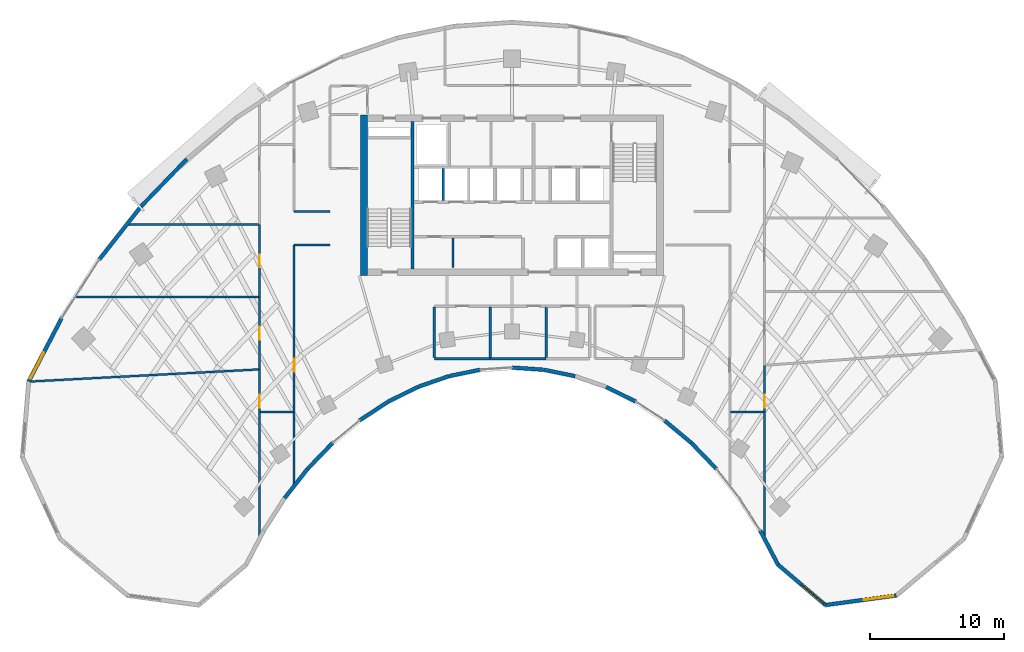
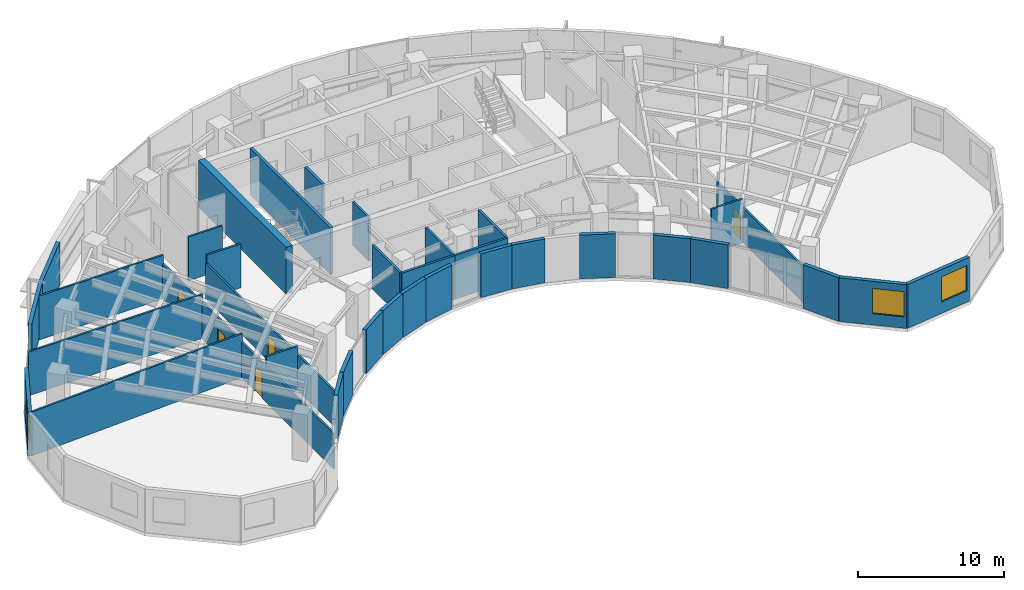
# One storey, part 8 of 14: 38 walls, 5 doors, 3 windows, 8 openings.
"""IFC4 building model written with IfcOpenShell, lengths in metres."""

from ifc_helpers import new_model, si_unit, direction, frame, frame_2d, origin, place, context, subcontext, project, spatial, rectangle, extrude, source, transform, mapped, material, layer, layer_set, type_object, type_shapes, element, fill, save


model = new_model("IFC4")

# Units and contexts
model_context = context("Model", 3, precision=1e-05, world=origin(), true_north=direction((0.0, 1.0)))
body_context = subcontext(model_context, "Body", "Model", "MODEL_VIEW")
ifc_project = project(units=[si_unit("LENGTHUNIT", "METRE"), si_unit("AREAUNIT", "SQUARE_METRE"), si_unit("VOLUMEUNIT", "CUBIC_METRE"), si_unit("PLANEANGLEUNIT", "RADIAN"), si_unit("MASSUNIT", "GRAM", prefix="KILO")], contexts=[model_context])

# Site, building, storey
site_placement = place(None, origin())
site = spatial("IfcSite", under=ifc_project, at=site_placement, CompositionType="ELEMENT")
building_placement = place(site_placement, origin())
building = spatial("IfcBuilding", under=site, at=building_placement, Name="Breltana Convention Tower", CompositionType="ELEMENT")
storey_placement = place(building_placement, frame((0.0, 0.0, 103.800048828125)))
storey = spatial("IfcBuildingStorey", under=building, at=storey_placement, Name="L24", CompositionType="ELEMENT", Elevation=103.800048828125)

# Walls
ifc_material_1 = material(Name="Concrete C60/75", Category="concrete")
ifc_layer_1 = layer(ifc_material_1, 0.5, Name="Concrete C60/75")
ifc_layer_set_1 = layer_set([ifc_layer_1], Name="Concrete C60/75")
wall_type_1 = type_object("IfcWallType", Name="SW-CORE-500", PredefinedType="SHEAR", material=ifc_layer_set_1)
shared_shape_1 = source(origin(), body_context, "Body", "SweptSolid", [
    extrude(rectangle(XDim=12.0, YDim=0.5, at=frame_2d((6.0, 0.0))), origin(), (0.0, 0.0, 1.0), 3.89990234375),
])
wall_1_placement = place(storey_placement, frame((36.949951171875, 60.199951171875, 0.0), z_axis=(0.0, 0.0, 1.0), x_axis=(0.0, 1.0, 0.0)))
element("IfcWall", 1, at=wall_1_placement, inside=storey, type_object=wall_type_1, Name="L24 West Core Shear Wall", PredefinedType="SHEAR", context=body_context, shape_type="MappedRepresentation", body=[
    mapped(shared_shape_1, transform((0.0, 0.0, 0.0), scale=1.0)),
])
ifc_material_2 = material(Name="Concrete C50/60", Category="concrete")
ifc_layer_2 = layer(ifc_material_2, 0.39990234375, Name="Concrete C50/60")
ifc_layer_set_2 = layer_set([ifc_layer_2], Name="Concrete C50/60")
wall_type_2 = type_object("IfcWallType", Name="SW-CORE-400", PredefinedType="SHEAR", material=ifc_layer_set_2)
shared_shape_2 = source(origin(), body_context, "Body", "SweptSolid", [
    extrude(rectangle(XDim=11.0, YDim=0.219970703125, at=frame_2d((5.5, 0.0))), origin(), (0.0, 0.0, 1.0), 3.89990234375),
])
wall_2_placement = place(storey_placement, frame((40.580078125, 60.699951171875, 0.0), z_axis=(0.0, 0.0, 1.0), x_axis=(0.0, 1.0, 0.0)))
element("IfcWall", 2, at=wall_2_placement, inside=storey, type_object=wall_type_2, Name="L24 Core West Stair Spine Wall", PredefinedType="SHEAR", context=body_context, shape_type="MappedRepresentation", body=[
    mapped(shared_shape_2, transform((0.0, 0.0, 0.0), scale=1.0)),
])

# Wall, opening, window
ifc_material_3 = material(Name="Limestone Buff Insulated Wall", Category="masonry")
ifc_layer_3 = layer(ifc_material_3, 0.280029296875, Name="Limestone Buff Insulated Wall")
ifc_layer_set_3 = layer_set([ifc_layer_3], Name="Limestone Buff Insulated Wall")
wall_type_3 = type_object("IfcWallType", Name="WL-EXT-NOSE-280", PredefinedType="SOLIDWALL", material=ifc_layer_set_3)
shared_shape_3 = source(origin(), body_context, "Body", "SweptSolid", [
    extrude(rectangle(XDim=5.32373046875, YDim=0.280029296875, at=frame_2d((2.661865234375, 0.0))), origin(), (0.0, 0.0, 1.0), 3.64990234375),
])
wall_3_placement = place(storey_placement, frame((76.685791015625, 36.321533203125, 0.0), z_axis=(0.0, 0.0, 1.0), x_axis=(-0.990931467223, -0.134368252451, 0.0)))
wall_3 = element("IfcWall", 3, at=wall_3_placement, inside=storey, type_object=wall_type_3, Name="L24 curved limestone nose wall E4", PredefinedType="SOLIDWALL", context=body_context, shape_type="MappedRepresentation", body=[
    mapped(shared_shape_3, transform((0.0, 0.0, 0.0), scale=1.0)),
])
opening_1_placement = place(wall_3_placement, frame((0.23095703125, 0.0, 0.949951171875)))
opening_1 = element("IfcOpeningElement", 4, at=opening_1_placement, cuts=wall_3, Name="Opening W-03", PredefinedType="OPENING", context=body_context, shape_type="SweptSolid", body=[
    extrude(rectangle(XDim=2.199951171875, YDim=2.10009765625, at=frame_2d((1.10009765625, 1.050048828125))), frame((0.0, 0.14990234375, 0.0), z_axis=(0.0, -1.0, 0.0), x_axis=(1.0, 0.0, 0.0)), (0.0, 0.0, 1.0), 0.300048828125),
])
ifc_material_4 = material(Name="Glass Low-E Insulated Window", Category="glass")
window_type = type_object("IfcWindowType", Name="WN-NOSE-2200X2100", PartitioningType="TRIPLE_PANEL_VERTICAL", PredefinedType="WINDOW", material=ifc_material_4)
shared_shape_4 = source(origin(), body_context, "Body", "SweptSolid", [
    extrude(rectangle(XDim=2.199951171875, YDim=2.10009765625, at=frame_2d((1.10009765625, 1.050048828125))), frame((0.0, 0.030029296875, 0.0), z_axis=(0.0, -1.0, 0.0), x_axis=(1.0, 0.0, 0.0)), (0.0, 0.0, 1.0), 0.06005859375),
])
type_shapes(window_type, [shared_shape_4])
window_1_placement = place(opening_1_placement, origin())
window_1 = element("IfcWindow", 5, at=window_1_placement, inside=storey, type_object=window_type, Name="L24 nose window E4", OverallHeight=2.10009765625, OverallWidth=2.199951171875, PartitioningType="TRIPLE_PANEL_VERTICAL", PredefinedType="WINDOW", context=body_context, shape_type="MappedRepresentation", body=[
    mapped(shared_shape_4, transform((0.0, 0.0, 0.0), scale=1.0)),
])
fill(opening_1, window_1)

shared_shape_5 = source(origin(), body_context, "Body", "SweptSolid", [
    extrude(rectangle(XDim=4.6591796875, YDim=0.280029296875, at=frame_2d((2.32958984375, 0.0))), origin(), (0.0, 0.0, 1.0), 3.64990234375),
])
wall_4_placement = place(storey_placement, frame((71.410400390625, 35.606201171875, 0.0), z_axis=(0.0, 0.0, 1.0), x_axis=(-0.761913458795, 0.647678841176, 0.0)))
wall_4 = element("IfcWall", 6, at=wall_4_placement, inside=storey, type_object=wall_type_3, Name="L24 curved limestone nose wall E5", PredefinedType="SOLIDWALL", context=body_context, shape_type="MappedRepresentation", body=[
    mapped(shared_shape_5, transform((0.0, 0.0, 0.0), scale=1.0)),
])
opening_2_placement = place(wall_4_placement, frame((0.159912109375, 0.0, 0.949951171875)))
opening_2 = element("IfcOpeningElement", 7, at=opening_2_placement, cuts=wall_4, Name="Opening W-03", PredefinedType="OPENING", context=body_context, shape_type="SweptSolid", body=[
    extrude(rectangle(XDim=2.199951171875, YDim=2.10009765625, at=frame_2d((1.10009765625, 1.050048828125))), frame((0.0, 0.14990234375, 0.0), z_axis=(0.0, -1.0, 0.0), x_axis=(1.0, 0.0, 0.0)), (0.0, 0.0, 1.0), 0.300048828125),
])
window_2_placement = place(opening_2_placement, origin())
window_2 = element("IfcWindow", 8, at=window_2_placement, inside=storey, type_object=window_type, Name="L24 nose window E5", OverallHeight=2.10009765625, OverallWidth=2.199951171875, PartitioningType="TRIPLE_PANEL_VERTICAL", PredefinedType="WINDOW", context=body_context, shape_type="MappedRepresentation", body=[
    mapped(shared_shape_4, transform((0.0, 0.0, 0.0), scale=1.0)),
])
fill(opening_2, window_2)

# Walls
shared_shape_6 = source(origin(), body_context, "Body", "SweptSolid", [
    extrude(rectangle(XDim=2.8798828125, YDim=0.280029296875, at=frame_2d((1.43994140625, 0.0))), origin(), (0.0, 0.0, 1.0), 3.64990234375),
])
wall_5_placement = place(storey_placement, frame((67.860595703125, 38.623779296875, 0.0), z_axis=(0.0, 0.0, 1.0), x_axis=(-0.461769086658, 0.887000175088, 0.0)))
element("IfcWall", 9, at=wall_5_placement, inside=storey, type_object=wall_type_3, Name="L24 curved limestone nose wall E6", PredefinedType="SOLIDWALL", context=body_context, shape_type="MappedRepresentation", body=[
    mapped(shared_shape_6, transform((0.0, 0.0, 0.0), scale=1.0)),
])
shared_shape_7 = source(origin(), body_context, "Body", "SweptSolid", [
    extrude(rectangle(XDim=2.679931640625, YDim=0.280029296875, at=frame_2d((1.33984375, 0.0))), origin(), (0.0, 0.0, 1.0), 3.64990234375),
])
for number, where, z_axis, x_axis, name in (
    (10, (63.260009765625, 45.780029296875, 0.0), (0.0, 0.0, 1.0), (-0.694561996568, 0.719432855049, 0.0), "L24 curved limestone nose wall E7"),
    (11, (34.601318359375, 47.7080078125, 0.0), (0.0, 0.0, 1.0), (-0.694561996568, -0.719432855049, 0.0), "L24 curved limestone nose wall E17"),
):
    element("IfcWall", number, at=place(storey_placement, frame(where, z_axis=z_axis, x_axis=x_axis)), inside=storey, type_object=wall_type_3, Name=name, PredefinedType="SOLIDWALL", context=body_context, shape_type="MappedRepresentation", body=[
        mapped(shared_shape_7, transform((0.0, 0.0, 0.0), scale=1.0)),
    ])
shared_shape_8 = source(origin(), body_context, "Body", "SweptSolid", [
    extrude(rectangle(XDim=2.600830078125, YDim=0.280029296875, at=frame_2d((1.30029296875, 0.0))), origin(), (0.0, 0.0, 1.0), 3.64990234375),
])
wall_6_placement = place(storey_placement, frame((61.384521484375, 47.72119140625, 0.0), z_axis=(0.0, 0.0, 1.0), x_axis=(-0.76796730295, 0.640489048775, 0.0)))
element("IfcWall", 12, at=wall_6_placement, inside=storey, type_object=wall_type_3, Name="L24 curved limestone nose wall E8", PredefinedType="SOLIDWALL", context=body_context, shape_type="MappedRepresentation", body=[
    mapped(shared_shape_8, transform((0.0, 0.0, 0.0), scale=1.0)),
])
shared_shape_9 = source(origin(), body_context, "Body", "SweptSolid", [
    extrude(rectangle(XDim=2.46240234375, YDim=0.280029296875, at=frame_2d((1.231201171875, 0.0))), origin(), (0.0, 0.0, 1.0), 3.64990234375),
])
for number, where, z_axis, x_axis, name in (
    (13, (57.239013671875, 50.797119140625, 0.0), (0.0, 0.0, 1.0), (-0.8959882207, 0.444077817917, 0.0), "L24 curved limestone nose wall E9"),
    (14, (40.96728515625, 51.890625, 0.0), (0.0, 0.0, 1.0), (-0.8959882207, -0.444077817917, 0.0), "L24 curved limestone nose wall E15"),
):
    element("IfcWall", number, at=place(storey_placement, frame(where, z_axis=z_axis, x_axis=x_axis)), inside=storey, type_object=wall_type_3, Name=name, PredefinedType="SOLIDWALL", context=body_context, shape_type="MappedRepresentation", body=[
        mapped(shared_shape_9, transform((0.0, 0.0, 0.0), scale=1.0)),
    ])
shared_shape_10 = source(origin(), body_context, "Body", "SweptSolid", [
    extrude(rectangle(XDim=2.41064453125, YDim=0.280029296875, at=frame_2d((1.205322265625, 0.0))), origin(), (0.0, 0.0, 1.0), 3.64990234375),
])
wall_7_placement = place(storey_placement, frame((43.26611328125, 52.688720703125, 0.0), z_axis=(0.0, 0.0, 1.0), x_axis=(-0.944880068161, -0.327416640982, 0.0)))
element("IfcWall", 15, at=wall_7_placement, inside=storey, type_object=wall_type_3, Name="L24 curved limestone nose wall E14", PredefinedType="SOLIDWALL", context=body_context, shape_type="MappedRepresentation", body=[
    mapped(shared_shape_10, transform((0.0, 0.0, 0.0), scale=1.0)),
])
shared_shape_11 = source(origin(), body_context, "Body", "SweptSolid", [
    extrude(rectangle(XDim=2.373779296875, YDim=0.280029296875, at=frame_2d((1.18701171875, 0.0))), origin(), (0.0, 0.0, 1.0), 3.64990234375),
])
for number, where, z_axis, x_axis, name in (
    (16, (52.711181640625, 52.695068359375, 0.0), (0.0, 0.0, 1.0), (-0.979619827472, 0.200860632341, 0.0), "L24 curved limestone nose wall E11"),
    (17, (45.6142578125, 53.171875, 0.0), (0.0, 0.0, 1.0), (-0.979619827472, -0.200860632341, 0.0), "L24 curved limestone nose wall E13"),
):
    element("IfcWall", number, at=place(storey_placement, frame(where, z_axis=z_axis, x_axis=x_axis)), inside=storey, type_object=wall_type_3, Name=name, PredefinedType="SOLIDWALL", context=body_context, shape_type="MappedRepresentation", body=[
        mapped(shared_shape_11, transform((0.0, 0.0, 0.0), scale=1.0)),
    ])
shared_shape_12 = source(origin(), body_context, "Body", "SweptSolid", [
    extrude(rectangle(XDim=2.35498046875, YDim=0.280029296875, at=frame_2d((1.177490234375, 0.0))), origin(), (0.0, 0.0, 1.0), 3.64990234375),
])
wall_8_placement = place(storey_placement, frame((50.36181640625, 53.175048828125, 0.0), z_axis=(0.0, 0.0, 1.0), x_axis=(-0.997699017577, 0.067798748701, 0.0)))
element("IfcWall", 18, at=wall_8_placement, inside=storey, type_object=wall_type_3, Name="L24 curved limestone nose wall E12", PredefinedType="SOLIDWALL", context=body_context, shape_type="MappedRepresentation", body=[
    mapped(shared_shape_12, transform((0.0, 0.0, 0.0), scale=1.0)),
])
shared_shape_13 = source(origin(), body_context, "Body", "SweptSolid", [
    extrude(rectangle(XDim=2.52734375, YDim=0.280029296875, at=frame_2d((1.263671875, 0.0))), origin(), (0.0, 0.0, 1.0), 3.64990234375),
])
wall_9_placement = place(storey_placement, frame((38.7421875, 50.7861328125, 0.0), z_axis=(0.0, 0.0, 1.0), x_axis=(-0.836011905051, -0.548711303523, 0.0)))
element("IfcWall", 19, at=wall_9_placement, inside=storey, type_object=wall_type_3, Name="L24 curved limestone nose wall E16", PredefinedType="SOLIDWALL", context=body_context, shape_type="MappedRepresentation", body=[
    mapped(shared_shape_13, transform((0.0, 0.0, 0.0), scale=1.0)),
])
shared_shape_14 = source(origin(), body_context, "Body", "SweptSolid", [
    extrude(rectangle(XDim=2.760498046875, YDim=0.280029296875, at=frame_2d((1.38037109375, 0.0))), origin(), (0.0, 0.0, 1.0), 3.64990234375),
])
wall_10_placement = place(storey_placement, frame((32.72802734375, 45.766357421875, 0.0), z_axis=(0.0, 0.0, 1.0), x_axis=(-0.618180818641, -0.786035925047, 0.0)))
element("IfcWall", 20, at=wall_10_placement, inside=storey, type_object=wall_type_3, Name="L24 curved limestone nose wall E18", PredefinedType="SOLIDWALL", context=body_context, shape_type="MappedRepresentation", body=[
    mapped(shared_shape_14, transform((0.0, 0.0, 0.0), scale=1.0)),
])

# Wall, opening, window
shared_shape_15 = source(origin(), body_context, "Body", "SweptSolid", [
    extrude(rectangle(XDim=5.315185546875, YDim=0.280029296875, at=frame_2d((2.65771484375, 0.0))), origin(), (0.0, 0.0, 1.0), 3.64990234375),
])
wall_11_placement = place(storey_placement, frame((11.92236328125, 52.305419921875, 0.0), z_axis=(0.0, 0.0, 1.0), x_axis=(0.461760527822, 0.887004630735, 0.0)))
wall_11 = element("IfcWall", 21, at=wall_11_placement, inside=storey, type_object=wall_type_3, Name="L24 curved limestone nose wall W7", PredefinedType="SOLIDWALL", context=body_context, shape_type="MappedRepresentation", body=[
    mapped(shared_shape_15, transform((0.0, 0.0, 0.0), scale=1.0)),
])
opening_3_placement = place(wall_11_placement, frame((0.228759765625, 0.0, 0.949951171875)))
opening_3 = element("IfcOpeningElement", 22, at=opening_3_placement, cuts=wall_11, Name="Opening W-03", PredefinedType="OPENING", context=body_context, shape_type="SweptSolid", body=[
    extrude(rectangle(XDim=2.199951171875, YDim=2.10009765625, at=frame_2d((1.10009765625, 1.050048828125))), frame((0.0, 0.14990234375, 0.0), z_axis=(0.0, -1.0, 0.0), x_axis=(1.0, 0.0, 0.0)), (0.0, 0.0, 1.0), 0.300048828125),
])
window_3_placement = place(opening_3_placement, origin())
window_3 = element("IfcWindow", 23, at=window_3_placement, inside=storey, type_object=window_type, Name="L24 nose window W7", OverallHeight=2.10009765625, OverallWidth=2.199951171875, PartitioningType="TRIPLE_PANEL_VERTICAL", PredefinedType="WINDOW", context=body_context, shape_type="MappedRepresentation", body=[
    mapped(shared_shape_4, transform((0.0, 0.0, 0.0), scale=1.0)),
])
fill(opening_3, window_3)

# Walls
shared_shape_16 = source(origin(), body_context, "Body", "SweptSolid", [
    extrude(rectangle(XDim=5.05810546875, YDim=0.280029296875, at=frame_2d((2.529052734375, 0.0))), origin(), (0.0, 0.0, 1.0), 3.64990234375),
])
wall_12_placement = place(storey_placement, frame((17.1884765625, 61.400390625, 0.0), z_axis=(0.0, 0.0, 1.0), x_axis=(0.618145507434, 0.786063694391, 0.0)))
element("IfcWall", 24, at=wall_12_placement, inside=storey, type_object=wall_type_3, Name="L24 curved limestone nose wall E20", PredefinedType="SOLIDWALL", context=body_context, shape_type="MappedRepresentation", body=[
    mapped(shared_shape_16, transform((0.0, 0.0, 0.0), scale=1.0)),
])
shared_shape_17 = source(origin(), body_context, "Body", "SweptSolid", [
    extrude(rectangle(XDim=4.908447265625, YDim=0.280029296875, at=frame_2d((2.4541015625, 0.0))), origin(), (0.0, 0.0, 1.0), 3.64990234375),
])
wall_13_placement = place(storey_placement, frame((20.315185546875, 65.37646484375, 0.0), z_axis=(0.0, 0.0, 1.0), x_axis=(0.694613154328, 0.719383462302, 0.0)))
element("IfcWall", 25, at=wall_13_placement, inside=storey, type_object=wall_type_3, Name="L24 curved limestone nose wall E21", PredefinedType="SOLIDWALL", context=body_context, shape_type="MappedRepresentation", body=[
    mapped(shared_shape_17, transform((0.0, 0.0, 0.0), scale=1.0)),
])
ifc_material_5 = material(Name="Autoclaved Aerated Concrete Block", Category="concrete")
ifc_layer_4 = layer(ifc_material_5, 0.199951171875, Name="Autoclaved Aerated Concrete Block")
ifc_layer_set_4 = layer_set([ifc_layer_4], Name="Autoclaved Aerated Concrete Block")
wall_type_4 = type_object("IfcWallType", Name="WL-SHAFT-200", PredefinedType="SOLIDWALL", material=ifc_layer_set_4)
shared_shape_18 = source(origin(), body_context, "Body", "SweptSolid", [
    extrude(rectangle(XDim=2.39990234375, YDim=0.199951171875, at=frame_2d((1.199951171875, 0.0))), origin(), (0.0, 0.0, 1.0), 3.64990234375),
])
wall_14_placement = place(storey_placement, frame((42.8701171875, 65.800048828125, 0.0), z_axis=(0.0, 0.0, 1.0), x_axis=(0.0, 1.0, 0.0)))
element("IfcWall", 26, at=wall_14_placement, inside=storey, type_object=wall_type_4, Name="L24 interior partition W-L24-SH-M-DIV1", PredefinedType="SOLIDWALL", context=body_context, shape_type="MappedRepresentation", body=[
    mapped(shared_shape_18, transform((0.0, 0.0, 0.0), scale=1.0)),
])
ifc_material_6 = material(Name="Cement Board Wet-Area Partition")
ifc_layer_5 = layer(ifc_material_6, 0.175048828125, Name="Cement Board Wet-Area Partition")
ifc_layer_set_5 = layer_set([ifc_layer_5], Name="Cement Board Wet-Area Partition")
wall_type_5 = type_object("IfcWallType", Name="WL-WET-175", PredefinedType="PARTITIONING", material=ifc_layer_set_5)
shared_shape_19 = source(origin(), body_context, "Body", "SweptSolid", [
    extrude(rectangle(XDim=4.176025390625, YDim=0.175048828125, at=frame_2d((2.087890625, 0.0))), origin(), (0.0, 0.0, 1.0), 3.64990234375),
])
for number, where, z_axis, x_axis, name in (
    (27, (42.199951171875, 54.0, 0.0), (0.0, 0.0, 1.0), (1.0, 0.0, 0.0), "L24 interior partition W-L24-WCM-S"),
    (28, (46.3759765625, 54.0, 0.0), (0.0, 0.0, 1.0), (1.0, 0.0, 0.0), "L24 interior partition W-L24-WCF-S"),
):
    element("IfcWall", number, at=place(storey_placement, frame(where, z_axis=z_axis, x_axis=x_axis)), inside=storey, type_object=wall_type_5, Name=name, PredefinedType="PARTITIONING", context=body_context, shape_type="MappedRepresentation", body=[
        mapped(shared_shape_19, transform((0.0, 0.0, 0.0), scale=1.0)),
    ])
shared_shape_20 = source(origin(), body_context, "Body", "SweptSolid", [
    extrude(rectangle(XDim=3.7626953125, YDim=0.175048828125, at=frame_2d((1.88134765625, 0.0))), origin(), (0.0, 0.0, 1.0), 3.64990234375),
])
for number, where, z_axis, x_axis, name in (
    (29, (42.199951171875, 54.07861328125, 0.0), (0.0, 0.0, 1.0), (0.0, 1.0, 0.0), "L24 interior partition W-L24-WCM-W"),
    (30, (46.3759765625, 54.07861328125, 0.0), (0.0, 0.0, 1.0), (0.0, 1.0, 0.0), "L24 interior partition W-L24-WCM-E"),
    (31, (50.552001953125, 54.07861328125, 0.0), (0.0, 0.0, 1.0), (0.0, 1.0, 0.0), "L24 interior partition W-L24-WCF-E"),
):
    element("IfcWall", number, at=place(storey_placement, frame(where, z_axis=z_axis, x_axis=x_axis)), inside=storey, type_object=wall_type_5, Name=name, PredefinedType="PARTITIONING", context=body_context, shape_type="MappedRepresentation", body=[
        mapped(shared_shape_20, transform((0.0, 0.0, 0.0), scale=1.0)),
    ])
ifc_material_7 = material(Name="Gypsum Acoustic Drywall Partition")
ifc_layer_6 = layer(ifc_material_7, 0.14990234375, Name="Gypsum Acoustic Drywall Partition")
ifc_layer_set_6 = layer_set([ifc_layer_6], Name="Gypsum Acoustic Drywall Partition")
wall_type_6 = type_object("IfcWallType", Name="WL-PART-150", PredefinedType="PARTITIONING", material=ifc_layer_set_6)
shared_shape_21 = source(origin(), body_context, "Body", "SweptSolid", [
    extrude(rectangle(XDim=2.5, YDim=0.14990234375, at=frame_2d((1.25, 0.0))), origin(), (0.0, 0.0, 1.0), 3.64990234375),
])
for number, where, z_axis, x_axis, name in (
    (32, (29.199951171875, 50.0, 0.0), (0.0, 0.0, 1.0), (1.0, 0.0, 0.0), "L24 interior partition W-L24-CORNW-S"),
    (33, (64.300048828125, 50.0, 0.0), (0.0, 0.0, 1.0), (1.0, 0.0, 0.0), "L24 interior partition W-L24-CORNE-S"),
):
    element("IfcWall", number, at=place(storey_placement, frame(where, z_axis=z_axis, x_axis=x_axis)), inside=storey, type_object=wall_type_6, Name=name, PredefinedType="PARTITIONING", context=body_context, shape_type="MappedRepresentation", body=[
        mapped(shared_shape_21, transform((0.0, 0.0, 0.0), scale=1.0)),
    ])

# Wall, opening, door
shared_shape_22 = source(origin(), body_context, "Body", "SweptSolid", [
    extrude(rectangle(XDim=12.593994140625, YDim=0.14990234375, at=frame_2d((6.296875, 0.0))), origin(), (0.0, 0.0, 1.0), 2.94189453125),
])
wall_15_placement = place(storey_placement, frame((29.159912109375, 40.60595703125, 0.0), z_axis=(0.0, 0.0, 1.0), x_axis=(0.0, 1.0, 0.0)))
wall_15 = element("IfcWall", 34, at=wall_15_placement, inside=storey, type_object=wall_type_6, Name="L24 interior partition W-L24-ZW1-E", PredefinedType="PARTITIONING", context=body_context, shape_type="MappedRepresentation", body=[
    mapped(shared_shape_22, transform((0.0, 0.0, 0.0), scale=1.0)),
])
opening_4_placement = place(wall_15_placement, frame((9.744140625, 0.0, 0.0)))
opening_4 = element("IfcOpeningElement", 35, at=opening_4_placement, cuts=wall_15, Name="Opening D-17", PredefinedType="OPENING", context=body_context, shape_type="SweptSolid", body=[
    extrude(rectangle(XDim=0.949951171875, YDim=2.10009765625, at=frame_2d((0.47509765625, 1.050048828125))), frame((0.0, 0.0849609375, 0.0), z_axis=(0.0, -1.0, 0.0), x_axis=(1.0, 0.0, 0.0)), (0.0, 0.0, 1.0), 0.169921875),
])
ifc_material_8 = material(Name="Timber Oak Veneer Door", Category="wood")
door_type = type_object("IfcDoorType", Name="DR-INT-950", OperationType="NOTDEFINED", PredefinedType="DOOR", material=ifc_material_8)
shared_shape_23 = source(origin(), body_context, "Body", "SweptSolid", [
    extrude(rectangle(XDim=0.949951171875, YDim=2.10009765625, at=frame_2d((0.47509765625, 1.050048828125))), frame((0.0, 0.02490234375, 0.0), z_axis=(0.0, -1.0, 0.0), x_axis=(1.0, 0.0, 0.0)), (0.0, 0.0, 1.0), 0.050048828125),
])
type_shapes(door_type, [shared_shape_23])
door_1_placement = place(opening_4_placement, origin())
door_1 = element("IfcDoor", 36, at=door_1_placement, inside=storey, type_object=door_type, Name="L24 interior door D-L24-ZW1", OperationType="SINGLE_SWING_RIGHT", OverallHeight=2.10009765625, OverallWidth=0.949951171875, PredefinedType="DOOR", context=body_context, shape_type="MappedRepresentation", body=[
    mapped(shared_shape_23, transform((0.0, 0.0, 0.0), scale=1.0)),
])
fill(opening_4, door_1)

# Wall
shared_shape_24 = source(origin(), body_context, "Body", "SweptSolid", [
    extrude(rectangle(XDim=17.132080078125, YDim=0.14990234375, at=frame_2d((8.56591796875, 0.0))), origin(), (0.0, 0.0, 1.0), 3.64990234375),
])
wall_16_placement = place(storey_placement, frame((12.0517578125, 52.294189453125, 0.0), z_axis=(0.0, 0.0, 1.0), x_axis=(0.998601444231, 0.05286923094, 0.0)))
element("IfcWall", 37, at=wall_16_placement, inside=storey, type_object=wall_type_6, Name="L24 interior partition W-L24-ZW1-N", PredefinedType="PARTITIONING", context=body_context, shape_type="MappedRepresentation", body=[
    mapped(shared_shape_24, transform((0.0, 0.0, 0.0), scale=1.0)),
])

# Wall, opening, door
shared_shape_25 = source(origin(), body_context, "Body", "SweptSolid", [
    extrude(rectangle(XDim=5.400146484375, YDim=0.14990234375, at=frame_2d((2.7001953125, 0.0))), origin(), (0.0, 0.0, 1.0), 3.02197265625),
])
wall_17_placement = place(storey_placement, frame((29.159912109375, 53.199951171875, 0.0), z_axis=(0.0, 0.0, 1.0), x_axis=(0.0, 1.0, 0.0)))
wall_17 = element("IfcWall", 38, at=wall_17_placement, inside=storey, type_object=wall_type_6, Name="L24 interior partition W-L24-ZW2-E", PredefinedType="PARTITIONING", context=body_context, shape_type="MappedRepresentation", body=[
    mapped(shared_shape_25, transform((0.0, 0.0, 0.0), scale=1.0)),
])
opening_5_placement = place(wall_17_placement, frame((2.22509765625, 0.0, 0.0)))
opening_5 = element("IfcOpeningElement", 39, at=opening_5_placement, cuts=wall_17, Name="Opening D-17", PredefinedType="OPENING", context=body_context, shape_type="SweptSolid", body=[
    extrude(rectangle(XDim=0.949951171875, YDim=2.10009765625, at=frame_2d((0.47509765625, 1.050048828125))), frame((0.0, 0.0849609375, 0.0), z_axis=(0.0, -1.0, 0.0), x_axis=(1.0, 0.0, 0.0)), (0.0, 0.0, 1.0), 0.169921875),
])
door_2_placement = place(opening_5_placement, origin())
door_2 = element("IfcDoor", 40, at=door_2_placement, inside=storey, type_object=door_type, Name="L24 interior door D-L24-ZW2", OperationType="SINGLE_SWING_LEFT", OverallHeight=2.10009765625, OverallWidth=0.949951171875, PredefinedType="DOOR", context=body_context, shape_type="MappedRepresentation", body=[
    mapped(shared_shape_23, transform((0.0, 0.0, 0.0), scale=1.0)),
])
fill(opening_5, door_2)

# Wall
shared_shape_26 = source(origin(), body_context, "Body", "SweptSolid", [
    extrude(rectangle(XDim=13.757080078125, YDim=0.14990234375, at=frame_2d((6.87841796875, 0.0))), origin(), (0.0, 0.0, 1.0), 3.64990234375),
])
wall_18_placement = place(storey_placement, frame((15.40283203125, 58.60009765625, 0.0), z_axis=(0.0, 0.0, 1.0), x_axis=(1.0, 0.0, 0.0)))
element("IfcWall", 41, at=wall_18_placement, inside=storey, type_object=wall_type_6, Name="L24 interior partition W-L24-ZW2-N", PredefinedType="PARTITIONING", context=body_context, shape_type="MappedRepresentation", body=[
    mapped(shared_shape_26, transform((0.0, 0.0, 0.0), scale=1.0)),
])

# Wall, opening, door
shared_shape_27 = source(origin(), body_context, "Body", "SweptSolid", [
    extrude(rectangle(XDim=5.39990234375, YDim=0.14990234375, at=frame_2d((2.699951171875, 0.0))), origin(), (0.0, 0.0, 1.0), 2.94189453125),
])
wall_19_placement = place(storey_placement, frame((29.159912109375, 58.60009765625, 0.0), z_axis=(0.0, 0.0, 1.0), x_axis=(0.0, 1.0, 0.0)))
wall_19 = element("IfcWall", 42, at=wall_19_placement, inside=storey, type_object=wall_type_6, Name="L24 interior partition W-L24-ZW3-E", PredefinedType="PARTITIONING", context=body_context, shape_type="MappedRepresentation", body=[
    mapped(shared_shape_27, transform((0.0, 0.0, 0.0), scale=1.0)),
])
opening_6_placement = place(wall_19_placement, frame((2.22509765625, 0.0, 0.0)))
opening_6 = element("IfcOpeningElement", 43, at=opening_6_placement, cuts=wall_19, Name="Opening D-17", PredefinedType="OPENING", context=body_context, shape_type="SweptSolid", body=[
    extrude(rectangle(XDim=0.949951171875, YDim=2.10009765625, at=frame_2d((0.47509765625, 1.050048828125))), frame((0.0, 0.0849609375, 0.0), z_axis=(0.0, -1.0, 0.0), x_axis=(1.0, 0.0, 0.0)), (0.0, 0.0, 1.0), 0.169921875),
])
door_3_placement = place(opening_6_placement, origin())
door_3 = element("IfcDoor", 44, at=door_3_placement, inside=storey, type_object=door_type, Name="L24 interior door D-L24-ZW3", OperationType="SINGLE_SWING_RIGHT", OverallHeight=2.10009765625, OverallWidth=0.949951171875, PredefinedType="DOOR", context=body_context, shape_type="MappedRepresentation", body=[
    mapped(shared_shape_23, transform((0.0, 0.0, 0.0), scale=1.0)),
])
fill(opening_6, door_3)

# Wall
shared_shape_28 = source(origin(), body_context, "Body", "SweptSolid", [
    extrude(rectangle(XDim=9.914306640625, YDim=0.14990234375, at=frame_2d((4.95703125, 0.0))), origin(), (0.0, 0.0, 1.0), 3.64990234375),
])
wall_20_placement = place(storey_placement, frame((19.24560546875, 64.0, 0.0), z_axis=(0.0, 0.0, 1.0), x_axis=(1.0, 0.0, 0.0)))
element("IfcWall", 45, at=wall_20_placement, inside=storey, type_object=wall_type_6, Name="L24 interior partition W-L24-ZW3-N", PredefinedType="PARTITIONING", context=body_context, shape_type="MappedRepresentation", body=[
    mapped(shared_shape_28, transform((0.0, 0.0, 0.0), scale=1.0)),
])

# Wall, opening, door
shared_shape_29 = source(origin(), body_context, "Body", "SweptSolid", [
    extrude(rectangle(XDim=12.89404296875, YDim=0.14990234375, at=frame_2d((6.447021484375, 0.0))), origin(), (0.0, 0.0, 1.0), 2.94189453125),
])
wall_21_placement = place(storey_placement, frame((66.840087890625, 40.60595703125, 0.0), z_axis=(0.0, 0.0, 1.0), x_axis=(0.0, 1.0, 0.0)))
wall_21 = element("IfcWall", 46, at=wall_21_placement, inside=storey, type_object=wall_type_6, Name="L24 interior partition W-L24-ZE1-W", PredefinedType="PARTITIONING", context=body_context, shape_type="MappedRepresentation", body=[
    mapped(shared_shape_29, transform((0.0, 0.0, 0.0), scale=1.0)),
])
opening_7_placement = place(wall_21_placement, frame((9.744140625, 0.0, 0.0)))
opening_7 = element("IfcOpeningElement", 47, at=opening_7_placement, cuts=wall_21, Name="Opening D-17", PredefinedType="OPENING", context=body_context, shape_type="SweptSolid", body=[
    extrude(rectangle(XDim=0.949951171875, YDim=2.10009765625, at=frame_2d((0.47509765625, 1.050048828125))), frame((0.0, 0.0849609375, 0.0), z_axis=(0.0, -1.0, 0.0), x_axis=(1.0, 0.0, 0.0)), (0.0, 0.0, 1.0), 0.169921875),
])
door_4_placement = place(opening_7_placement, origin())
door_4 = element("IfcDoor", 48, at=door_4_placement, inside=storey, type_object=door_type, Name="L24 interior door D-L24-ZE1", OperationType="SINGLE_SWING_RIGHT", OverallHeight=2.10009765625, OverallWidth=0.949951171875, PredefinedType="DOOR", context=body_context, shape_type="MappedRepresentation", body=[
    mapped(shared_shape_23, transform((0.0, 0.0, 0.0), scale=1.0)),
])
fill(opening_7, door_4)

shared_shape_30 = source(origin(), body_context, "Body", "SweptSolid", [
    extrude(rectangle(XDim=17.973876953125, YDim=0.14990234375, at=frame_2d((8.98681640625, 0.0))), origin(), (0.0, 0.0, 1.0), 2.94189453125),
])
wall_22_placement = place(storey_placement, frame((31.739990234375, 44.526123046875, 0.0), z_axis=(0.0, 0.0, 1.0), x_axis=(0.0, 1.0, 0.0)))
wall_22 = element("IfcWall", 49, at=wall_22_placement, inside=storey, type_object=wall_type_6, Name="L24 interior partition W-L24-ZMW1-D", PredefinedType="PARTITIONING", context=body_context, shape_type="MappedRepresentation", body=[
    mapped(shared_shape_30, transform((0.0, 0.0, 0.0), scale=1.0)),
])
opening_8_placement = place(wall_22_placement, frame((8.511962890625, 0.0, 0.0)))
opening_8 = element("IfcOpeningElement", 50, at=opening_8_placement, cuts=wall_22, Name="Opening D-17", PredefinedType="OPENING", context=body_context, shape_type="SweptSolid", body=[
    extrude(rectangle(XDim=0.949951171875, YDim=2.10009765625, at=frame_2d((0.47509765625, 1.050048828125))), frame((0.0, 0.0849609375, 0.0), z_axis=(0.0, -1.0, 0.0), x_axis=(1.0, 0.0, 0.0)), (0.0, 0.0, 1.0), 0.169921875),
])
door_5_placement = place(opening_8_placement, origin())
door_5 = element("IfcDoor", 51, at=door_5_placement, inside=storey, type_object=door_type, Name="L24 interior door D-L24-ZMW1", OperationType="SINGLE_SWING_LEFT", OverallHeight=2.10009765625, OverallWidth=0.949951171875, PredefinedType="DOOR", context=body_context, shape_type="MappedRepresentation", body=[
    mapped(shared_shape_23, transform((0.0, 0.0, 0.0), scale=1.0)),
])
fill(opening_8, door_5)

# Walls
shared_shape_31 = source(origin(), body_context, "Body", "SweptSolid", [
    extrude(rectangle(XDim=2.659912109375, YDim=0.14990234375, at=frame_2d((1.330078125, 0.0))), origin(), (0.0, 0.0, 1.0), 3.64990234375),
])
for number, where, z_axis, x_axis, name in (
    (52, (31.739990234375, 62.5, 0.0), (0.0, 0.0, 1.0), (1.0, 0.0, 0.0), "L24 interior partition W-L24-ZMW1-TN"),
    (53, (31.739990234375, 65.0, 0.0), (0.0, 0.0, 1.0), (1.0, 0.0, 0.0), "L24 interior partition W-L24-ZMW2-TS"),
):
    element("IfcWall", number, at=place(storey_placement, frame(where, z_axis=z_axis, x_axis=x_axis)), inside=storey, type_object=wall_type_6, Name=name, PredefinedType="PARTITIONING", context=body_context, shape_type="MappedRepresentation", body=[
        mapped(shared_shape_31, transform((0.0, 0.0, 0.0), scale=1.0)),
    ])
shared_shape_32 = source(origin(), body_context, "Body", "SweptSolid", [
    extrude(rectangle(XDim=2.199951171875, YDim=0.14990234375, at=frame_2d((1.10009765625, 0.0))), origin(), (0.0, 0.0, 1.0), 3.64990234375),
])
wall_23_placement = place(storey_placement, frame((43.60009765625, 60.800048828125, 0.0), z_axis=(0.0, 0.0, 1.0), x_axis=(0.0, 1.0, 0.0)))
element("IfcWall", 54, at=wall_23_placement, inside=storey, type_object=wall_type_6, Name="L24 interior partition W-L24-LV7-B1-DIV", PredefinedType="PARTITIONING", context=body_context, shape_type="MappedRepresentation", body=[
    mapped(shared_shape_32, transform((0.0, 0.0, 0.0), scale=1.0)),
])

save(model, "model.ifc")
